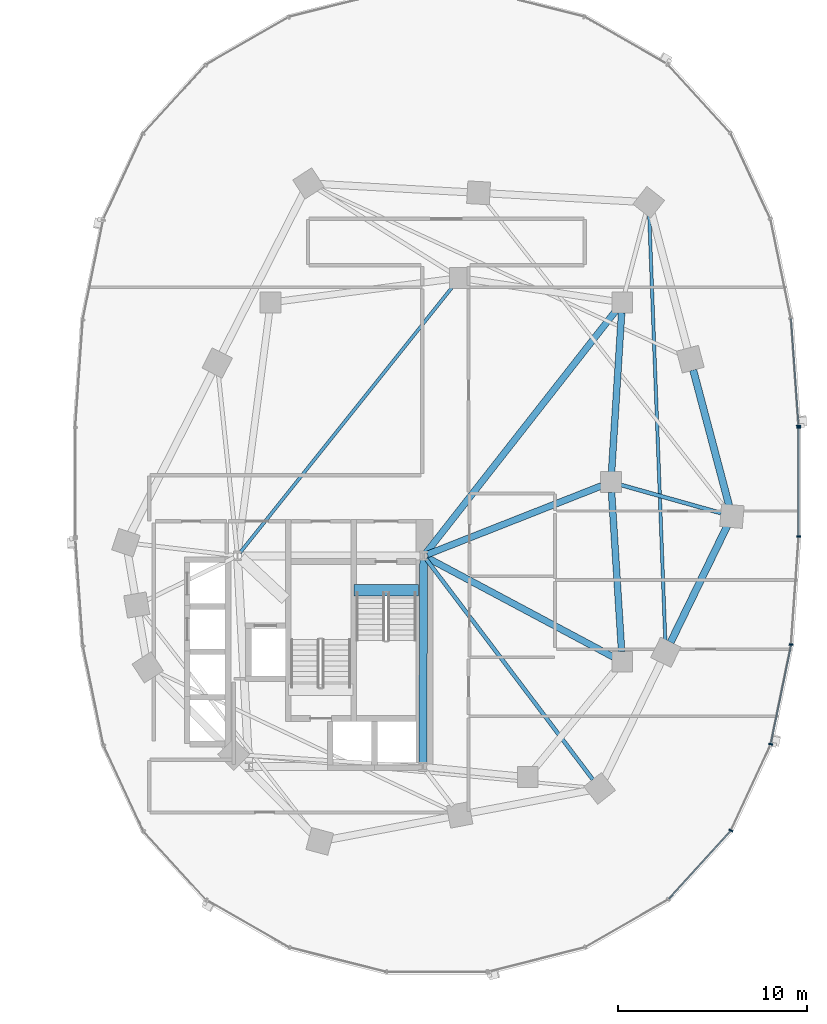
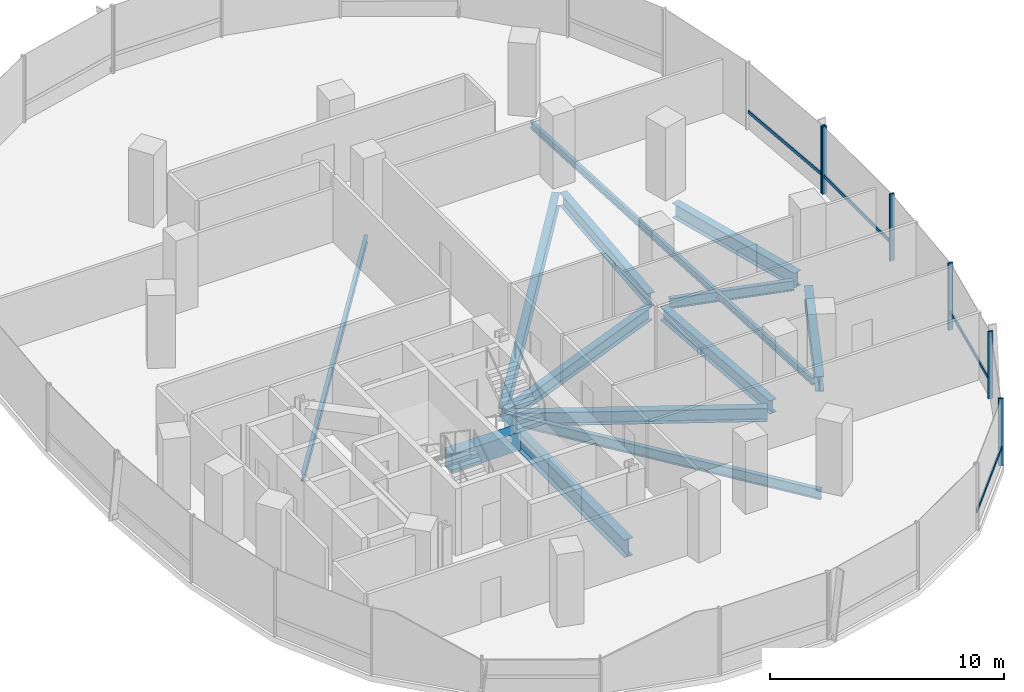
# One storey, part 6 of 21: 13 beams, 10 members, 2 elements without a shape of their own.
"""IFC4 building model written with IfcOpenShell, lengths in metres."""

from ifc_helpers import new_model, si_unit, direction, frame, origin, origin_2d, place, context, subcontext, project, spatial, rectangle, i_section, extrude, material, material_profile, profile_set, type_object, element, aggregate, save


model = new_model("IFC4")

# Units and contexts
model_context = context("Model", 3, precision=1e-05, world=origin(), true_north=direction((0.0, 1.0)))
body_context = subcontext(model_context, "Body", "Model", "MODEL_VIEW")
ifc_project = project(units=[si_unit("LENGTHUNIT", "METRE"), si_unit("AREAUNIT", "SQUARE_METRE"), si_unit("VOLUMEUNIT", "CUBIC_METRE"), si_unit("PLANEANGLEUNIT", "RADIAN"), si_unit("MASSUNIT", "GRAM", prefix="KILO"), si_unit("THERMODYNAMICTEMPERATUREUNIT", "KELVIN"), si_unit("POWERUNIT", "WATT")], contexts=[model_context])

# Site, building, storey
site_placement = place(None, origin())
site = spatial("IfcSite", under=ifc_project, at=site_placement, CompositionType="ELEMENT")
building_placement = place(site_placement, origin())
building = spatial("IfcBuilding", under=site, at=building_placement, Name="Cundina Bronze Exchange", CompositionType="ELEMENT")
storey_placement = place(building_placement, frame((0.0, 0.0, 50.60009765625)))
storey = spatial("IfcBuildingStorey", under=building, at=storey_placement, Name="L12", CompositionType="ELEMENT", Elevation=50.60009765625)

# Beams
ifc_material_1 = material(Name="Concrete C60/75", Category="concrete")
ifc_material_profile_1 = material_profile(ifc_material_1, rectangle(XDim=0.60009765625, YDim=0.949951171875, at=origin_2d()), Name="RC600X950", Category="concrete")
ifc_profile_set_1 = profile_set([ifc_material_profile_1], Name="Concrete C60/75")
beam_type_1 = type_object("IfcBeamType", Name="BM-COUP-RC950", PredefinedType="LINTEL", material=ifc_profile_set_1)
beam_1_placement = place(storey_placement, frame((27.6201171875, -5.719970703125, -0.47509765625), z_axis=(1.0, 0.0, 0.0), x_axis=(0.0, 1.0, 0.0)))
element("IfcBeam", 1, at=beam_1_placement, inside=storey, type_object=beam_type_1, Name="L12 Stair E1 Landing Header Beam", PredefinedType="LINTEL", context=body_context, shape_type="SweptSolid", body=[
    extrude(rectangle(XDim=0.60009765625, YDim=0.949951171875, at=origin_2d()), origin(), (0.0, 0.0, 1.0), 3.39990234375),
])
ifc_material_2 = material(Name="Steel ASTM A992 Grade 50", Category="steel")
ifc_material_profile_2 = material_profile(ifc_material_2, i_section(OverallWidth=0.2099609375, OverallDepth=0.532958984375, WebThickness=0.01025390625, FlangeThickness=0.015625, FilletRadius=0.013916015625, at=origin_2d()), Name="W21X62", Category="steel")
ifc_profile_set_2 = profile_set([ifc_material_profile_2], Name="Steel ASTM A992 Grade 50")
beam_type_2 = type_object("IfcBeamType", Name="BM-FLR-W21B", PredefinedType="BEAM", material=ifc_profile_set_2)
beam_2_placement = place(storey_placement, frame((31.423095703125, -4.062744140625, -0.566650390625), z_axis=(0.603106461849, -0.797660702101, 0.0), x_axis=(0.797660702101, 0.603106461849, 0.0)))
element("IfcBeam", 2, at=beam_2_placement, inside=storey, type_object=beam_type_2, Name="L12 Leg E Chordal Floor Beam 06", PredefinedType="BEAM", context=body_context, shape_type="SweptSolid", body=[
    extrude(i_section(OverallWidth=0.2099609375, OverallDepth=0.532958984375, WebThickness=0.01025390625, FlangeThickness=0.015625, FilletRadius=0.013916015625, at=origin_2d()), origin(), (0.0, 0.0, 1.0), 14.6279296875),
])
beam_3_placement = place(storey_placement, frame((41.718017578125, -0.145751953125, -0.566650390625), z_axis=(0.962650219971, -0.270748137554, 0.0), x_axis=(0.270748137554, 0.962650219971, 0.0)))
element("IfcBeam", 3, at=beam_3_placement, inside=storey, type_object=beam_type_2, Name="L12 Leg E Chordal Floor Beam 08", PredefinedType="BEAM", context=body_context, shape_type="SweptSolid", body=[
    extrude(i_section(OverallWidth=0.2099609375, OverallDepth=0.532958984375, WebThickness=0.01025390625, FlangeThickness=0.015625, FilletRadius=0.013916015625, at=origin_2d()), origin(), (0.0, 0.0, 1.0), 5.522216796875),
])
ifc_material_profile_3 = material_profile(ifc_material_2, i_section(OverallWidth=0.172119140625, OverallDepth=0.35791015625, WebThickness=0.0078125, FlangeThickness=0.01318359375, FilletRadius=0.010009765625, at=origin_2d()), Name="W14X38", Category="steel")
ifc_profile_set_3 = profile_set([ifc_material_profile_3], Name="Steel ASTM A992 Grade 50")
beam_type_3 = type_object("IfcBeamType", Name="BM-JST-W14", PredefinedType="JOIST", material=ifc_profile_set_3)
beam_4_placement = place(storey_placement, frame((21.577392578125, -3.740478515625, -0.47900390625), z_axis=(0.62436887964, 0.781129632095, 0.0), x_axis=(-0.781129632095, 0.62436887964, 0.0)))
element("IfcBeam", 4, at=beam_4_placement, inside=storey, type_object=beam_type_3, Name="L12 E Interior Core-to-Ring Joist 2", PredefinedType="JOIST", context=body_context, shape_type="SweptSolid", body=[
    extrude(i_section(OverallWidth=0.172119140625, OverallDepth=0.35791015625, WebThickness=0.0078125, FlangeThickness=0.01318359375, FilletRadius=0.010009765625, at=origin_2d()), origin(), (0.0, 0.0, 1.0), 18.076904296875),
])
beam_5_placement = place(storey_placement, frame((44.077880859375, -8.412353515625, -0.47900390625), z_axis=(-0.037794949147, 0.999285515666, 0.0), x_axis=(-0.999285515666, -0.037794949147, 0.0)))
element("IfcBeam", 5, at=beam_5_placement, inside=storey, type_object=beam_type_3, Name="L12 Leg E Lobe Floor Joist 07-10", PredefinedType="JOIST", context=body_context, shape_type="SweptSolid", body=[
    extrude(i_section(OverallWidth=0.172119140625, OverallDepth=0.35791015625, WebThickness=0.0078125, FlangeThickness=0.01318359375, FilletRadius=0.010009765625, at=origin_2d()), origin(), (0.0, 0.0, 1.0), 22.640869140625),
])
ifc_material_profile_4 = material_profile(ifc_material_2, i_section(OverallWidth=0.35498046875, OverallDepth=0.695068359375, WebThickness=0.015380859375, FlangeThickness=0.02490234375, FilletRadius=0.01806640625, at=origin_2d()), Name="W27X146", Category="steel")
ifc_profile_set_4 = profile_set([ifc_material_profile_4], Name="Steel ASTM A992 Grade 50")
beam_type_4 = type_object("IfcBeamType", Name="BM-RING-W27", PredefinedType="USERDEFINED", material=ifc_profile_set_4)
for number, where, z_axis, x_axis, name in (
    (6, (41.76611328125, -8.963134765625, -0.647705078125), (-0.06303715519, 0.998011180832, 0.0), (-0.998011180832, -0.06303715519, 0.0), "L12 E Inner Structural Ring Girder 03"),
    (7, (41.23388671875, 0.536865234375, -0.647705078125), (0.06303715519, 0.998011180832, 0.0), (-0.998011180832, 0.06303715519, 0.0), "L12 E Inner Structural Ring Girder 04"),
):
    element("IfcBeam", number, at=place(storey_placement, frame(where, z_axis=z_axis, x_axis=x_axis)), inside=storey, type_object=beam_type_4, Name=name, ObjectType="GIRDER", PredefinedType="USERDEFINED", context=body_context, shape_type="SweptSolid", body=[
        extrude(i_section(OverallWidth=0.35498046875, OverallDepth=0.695068359375, WebThickness=0.015380859375, FlangeThickness=0.02490234375, FilletRadius=0.01806640625, at=origin_2d()), origin(), (0.0, 0.0, 1.0), 8.443115234375),
    ])
beam_6_placement = place(storey_placement, frame((31.48974609375, -3.8251953125, -0.647705078125), z_axis=(0.930413235418, 0.366512225388, 0.0), x_axis=(-0.366512225388, 0.930413235418, 0.0)))
element("IfcBeam", 8, at=beam_6_placement, inside=storey, type_object=beam_type_4, Name="L12 E Core-to-Waist Tie Beam 1", ObjectType="GIRDER", PredefinedType="USERDEFINED", context=body_context, shape_type="SweptSolid", body=[
    extrude(i_section(OverallWidth=0.35498046875, OverallDepth=0.695068359375, WebThickness=0.015380859375, FlangeThickness=0.02490234375, FilletRadius=0.01806640625, at=origin_2d()), origin(), (0.0, 0.0, 1.0), 9.8984375),
])
beam_7_placement = place(storey_placement, frame((31.47998046875, -3.99609375, -0.647705078125), z_axis=(0.882354758239, -0.470584828286, 0.0), x_axis=(0.470584828286, 0.882354758239, 0.0)))
element("IfcBeam", 9, at=beam_7_placement, inside=storey, type_object=beam_type_4, Name="L12 E Core-to-Waist Tie Beam 2", ObjectType="GIRDER", PredefinedType="USERDEFINED", context=body_context, shape_type="SweptSolid", body=[
    extrude(i_section(OverallWidth=0.35498046875, OverallDepth=0.695068359375, WebThickness=0.015380859375, FlangeThickness=0.02490234375, FilletRadius=0.01806640625, at=origin_2d()), origin(), (0.0, 0.0, 1.0), 11.157958984375),
])
beam_8_placement = place(storey_placement, frame((31.42578125, -3.739501953125, -0.647705078125), z_axis=(0.616789275748, 0.787128318206, 0.0), x_axis=(-0.787128318206, 0.616789275748, 0.0)))
element("IfcBeam", 10, at=beam_8_placement, inside=storey, type_object=beam_type_4, Name="L12 E Core-to-Waist Tie Beam 3", ObjectType="GIRDER", PredefinedType="USERDEFINED", context=body_context, shape_type="SweptSolid", body=[
    extrude(i_section(OverallWidth=0.35498046875, OverallDepth=0.695068359375, WebThickness=0.015380859375, FlangeThickness=0.02490234375, FilletRadius=0.01806640625, at=origin_2d()), origin(), (0.0, 0.0, 1.0), 16.281982421875),
])
ifc_material_profile_5 = material_profile(ifc_material_2, i_section(OverallWidth=0.381103515625, OverallDepth=0.77294921875, WebThickness=0.0166015625, FlangeThickness=0.027099609375, FilletRadius=0.01904296875, at=origin_2d()), Name="W30X173", Category="steel")
ifc_profile_set_5 = profile_set([ifc_material_profile_5], Name="Steel ASTM A992 Grade 50")
beam_type_5 = type_object("IfcBeamType", Name="BM-RING-W30", PredefinedType="USERDEFINED", material=ifc_profile_set_5)
beam_9_placement = place(storey_placement, frame((44.357177734375, -8.47119140625, -0.6865234375), z_axis=(0.437190698904, 0.899368830231, 0.0), x_axis=(-0.899368830231, 0.437190698904, 0.0)))
element("IfcBeam", 11, at=beam_9_placement, inside=storey, type_object=beam_type_5, Name="L12 E Perimeter Ring Girder 07", ObjectType="GIRDER", PredefinedType="USERDEFINED", context=body_context, shape_type="SweptSolid", body=[
    extrude(i_section(OverallWidth=0.381103515625, OverallDepth=0.77294921875, WebThickness=0.0166015625, FlangeThickness=0.027099609375, FilletRadius=0.01904296875, at=origin_2d()), origin(), (0.0, 0.0, 1.0), 6.82958984375),
])
beam_10_placement = place(storey_placement, frame((47.44921875, -1.231689453125, -0.6865234375), z_axis=(-0.256177785604, 0.966629682021, 0.0), x_axis=(-0.966629682021, -0.256177785604, 0.0)))
element("IfcBeam", 12, at=beam_10_placement, inside=storey, type_object=beam_type_5, Name="L12 E Perimeter Ring Girder 08", ObjectType="GIRDER", PredefinedType="USERDEFINED", context=body_context, shape_type="SweptSolid", body=[
    extrude(i_section(OverallWidth=0.381103515625, OverallDepth=0.77294921875, WebThickness=0.0166015625, FlangeThickness=0.027099609375, FilletRadius=0.01904296875, at=origin_2d()), origin(), (0.0, 0.0, 1.0), 7.41064453125),
])
ifc_material_profile_6 = material_profile(ifc_material_2, i_section(OverallWidth=0.41796875, OverallDepth=0.927001953125, WebThickness=0.019287109375, FlangeThickness=0.031982421875, FilletRadius=0.02392578125, at=origin_2d()), Name="W36X231", Category="steel")
ifc_profile_set_6 = profile_set([ifc_material_profile_6], Name="Steel ASTM A992 Grade 50")
beam_type_6 = type_object("IfcBeamType", Name="BM-WRN-W36B", PredefinedType="USERDEFINED", material=ifc_profile_set_6)
beam_11_placement = place(storey_placement, frame((31.2509765625, -14.845947265625, -0.763671875), z_axis=(0.004477329608, 0.99998997671, 0.0), x_axis=(-0.99998997671, 0.004477329608, 0.0)))
element("IfcBeam", 13, at=beam_11_placement, inside=storey, type_object=beam_type_6, Name="L12 E Core Perimeter Tie Girder 4", ObjectType="GIRDER", PredefinedType="USERDEFINED", context=body_context, shape_type="SweptSolid", body=[
    extrude(i_section(OverallWidth=0.41796875, OverallDepth=0.927001953125, WebThickness=0.019287109375, FlangeThickness=0.031982421875, FilletRadius=0.02392578125, at=origin_2d()), origin(), (0.0, 0.0, 1.0), 10.741943359375),
])

# Curtain wall, member
ifc_material_3 = material(Name="Anodised Bronze Aluminium 6063-T6", Category="aluminium")
curtain_wall_type = type_object("IfcCurtainWallType", Name="CWS-TRD-LOW", PredefinedType="NOTDEFINED", material=ifc_material_3)
curtain_wall_1_placement = place(storey_placement, origin())
curtain_wall_1 = element("IfcCurtainWall", 14, at=curtain_wall_1_placement, inside=storey, type_object=curtain_wall_type, Name="L12 CW-02 Curtain Wall Run CWR-L12-E1", PredefinedType="NOTDEFINED")
ifc_material_profile_7 = material_profile(ifc_material_3, rectangle(XDim=0.074951171875, YDim=0.219970703125, at=origin_2d()), Name="AL75X220", Category="aluminium")
ifc_profile_set_7 = profile_set([ifc_material_profile_7], Name="Anodised Bronze Aluminium 6063-T6")
member_type_1 = type_object("IfcMemberType", Name="CWM-MUL-220", PredefinedType="MULLION", material=ifc_profile_set_7)
member_1_placement = place(storey_placement, frame((51.12451171875, 2.976318359375, 0.0), z_axis=(0.0, 0.0, 1.0), x_axis=(-0.070278787473, 0.997527389113, 0.0)))
member_1 = element("IfcMember", 15, at=member_1_placement, type_object=member_type_1, Name="CW-02 Mullion 1", PredefinedType="MULLION", context=body_context, shape_type="SweptSolid", body=[
    extrude(rectangle(XDim=0.074951171875, YDim=0.219970703125, at=origin_2d()), origin(), (0.0, 0.0, 1.0), 3.5),
])

# Curtain wall, members
curtain_wall_2_placement = place(storey_placement, origin())
curtain_wall_2 = element("IfcCurtainWall", 16, at=curtain_wall_2_placement, inside=storey, type_object=curtain_wall_type, Name="L12 CW-02 Curtain Wall Run CWR-L12-E4", PredefinedType="NOTDEFINED")
member_2_placement = place(storey_placement, frame((47.544189453125, -18.423583984375, 0.0), z_axis=(0.0, 0.0, 1.0), x_axis=(0.42087749791, 0.907117485088, 0.0)))
member_2 = element("IfcMember", 17, at=member_2_placement, type_object=member_type_1, Name="CW-02 Mullion 4", PredefinedType="MULLION", context=body_context, shape_type="SweptSolid", body=[
    extrude(rectangle(XDim=0.074951171875, YDim=0.219970703125, at=origin_2d()), origin(), (0.0, 0.0, 1.0), 3.5),
])
member_3_placement = place(storey_placement, frame((49.651123046875, -13.861328125, 0.0), z_axis=(0.0, 0.0, 1.0), x_axis=(0.201419845156, 0.979505000486, 0.0)))
member_3 = element("IfcMember", 18, at=member_3_placement, type_object=member_type_1, Name="CW-02 Mullion 5", PredefinedType="MULLION", context=body_context, shape_type="SweptSolid", body=[
    extrude(rectangle(XDim=0.074951171875, YDim=0.219970703125, at=origin_2d()), origin(), (0.0, 0.0, 1.0), 3.5),
])
member_4_placement = place(storey_placement, frame((50.72900390625, -8.591552734375, 0.0), z_axis=(0.0, 0.0, 1.0), x_axis=(0.070278787473, 0.997527389113, 0.0)))
member_4 = element("IfcMember", 19, at=member_4_placement, type_object=member_type_1, Name="CW-02 Mullion 6", PredefinedType="MULLION", context=body_context, shape_type="SweptSolid", body=[
    extrude(rectangle(XDim=0.074951171875, YDim=0.219970703125, at=origin_2d()), origin(), (0.0, 0.0, 1.0), 3.5),
])
member_5_placement = place(storey_placement, frame((51.1279296875, -2.880615234375, 0.0), z_axis=(0.0, 0.0, 1.0), x_axis=(0.0, 1.0, 0.0)))
member_5 = element("IfcMember", 20, at=member_5_placement, type_object=member_type_1, Name="CW-02 Mullion 7", PredefinedType="MULLION", context=body_context, shape_type="SweptSolid", body=[
    extrude(rectangle(XDim=0.074951171875, YDim=0.219970703125, at=origin_2d()), origin(), (0.0, 0.0, 1.0), 3.5),
])
member_6_placement = place(storey_placement, frame((51.1279296875, 2.880615234375, 0.0), z_axis=(0.0, 0.0, 1.0), x_axis=(0.0, 1.0, 0.0)))
member_6 = element("IfcMember", 21, at=member_6_placement, type_object=member_type_1, Name="CW-02 End Mullion", PredefinedType="MULLION", context=body_context, shape_type="SweptSolid", body=[
    extrude(rectangle(XDim=0.074951171875, YDim=0.219970703125, at=origin_2d()), origin(), (0.0, 0.0, 1.0), 3.5),
])

# Member
ifc_material_profile_8 = material_profile(ifc_material_3, rectangle(XDim=0.070068359375, YDim=0.179931640625, at=origin_2d()), Name="AL70X180", Category="aluminium")
ifc_profile_set_8 = profile_set([ifc_material_profile_8], Name="Anodised Bronze Aluminium 6063-T6")
member_type_2 = type_object("IfcMemberType", Name="CWM-TRN-180", PredefinedType="USERDEFINED", material=ifc_profile_set_8)
member_7_placement = place(storey_placement, frame((51.12158203125, 3.017333984375, 0.919921875), z_axis=(-0.070260714471, 0.997528662246, 0.0), x_axis=(-0.997528662246, -0.070260714471, 0.0)))
member_7 = element("IfcMember", 22, at=member_7_placement, type_object=member_type_2, Name="CW-02 Spandrel Transom 1", ObjectType="TRANSOM", PredefinedType="USERDEFINED", context=body_context, shape_type="SweptSolid", body=[
    extrude(rectangle(XDim=0.070068359375, YDim=0.179931640625, at=origin_2d()), origin(), (0.0, 0.0, 1.0), 5.629150390625),
])

aggregate(curtain_wall_1, [member_1, member_7])

member_8_placement = place(storey_placement, frame((44.26708984375, -22.027099609375, 0.919921875), z_axis=(0.674302794847, 0.738454968743, 0.0), x_axis=(-0.738454968743, 0.674302794847, 0.0)))
member_8 = element("IfcMember", 23, at=member_8_placement, type_object=member_type_2, Name="CW-02 Spandrel Transom 3", ObjectType="TRANSOM", PredefinedType="USERDEFINED", context=body_context, shape_type="SweptSolid", body=[
    extrude(rectangle(XDim=0.070068359375, YDim=0.179931640625, at=origin_2d()), origin(), (0.0, 0.0, 1.0), 4.848388671875),
])

member_9_placement = place(storey_placement, frame((49.659423828125, -13.821044921875, 0.919921875), z_axis=(0.201427712708, 0.979503382615, 0.0), x_axis=(-0.979503382615, 0.201427712708, 0.0)))
member_9 = element("IfcMember", 24, at=member_9_placement, type_object=member_type_2, Name="CW-02 Spandrel Transom 5", ObjectType="TRANSOM", PredefinedType="USERDEFINED", context=body_context, shape_type="SweptSolid", body=[
    extrude(rectangle(XDim=0.070068359375, YDim=0.179931640625, at=origin_2d()), origin(), (0.0, 0.0, 1.0), 5.291748046875),
])

member_10_placement = place(storey_placement, frame((51.1279296875, -2.839111328125, 0.919921875), z_axis=(0.0, 1.0, 0.0), x_axis=(-1.0, 0.0, 0.0)))
member_10 = element("IfcMember", 25, at=member_10_placement, type_object=member_type_2, Name="CW-02 Spandrel Transom 7", ObjectType="TRANSOM", PredefinedType="USERDEFINED", context=body_context, shape_type="SweptSolid", body=[
    extrude(rectangle(XDim=0.070068359375, YDim=0.179931640625, at=origin_2d()), origin(), (0.0, 0.0, 1.0), 5.67822265625),
])

aggregate(curtain_wall_2, [member_8, member_2, member_3, member_9, member_4, member_5, member_6, member_10])

save(model, "model.ifc")
